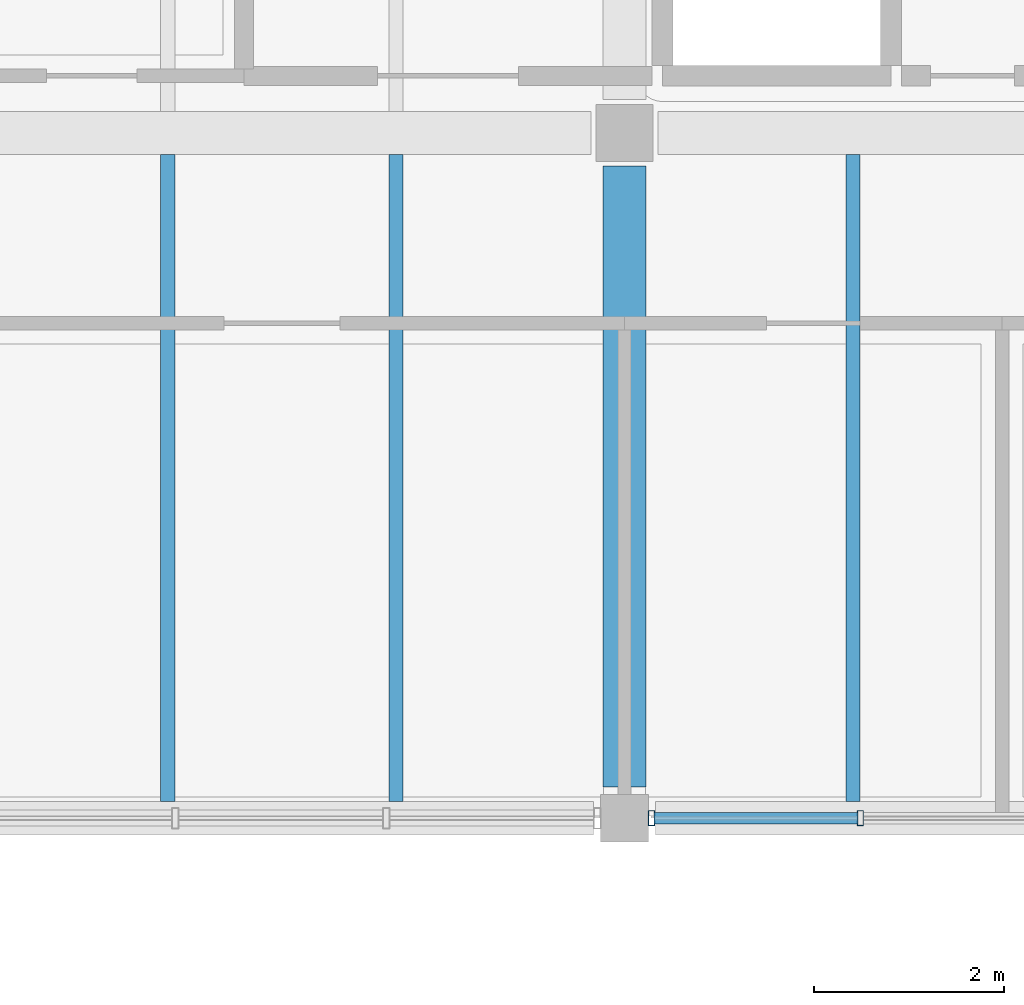
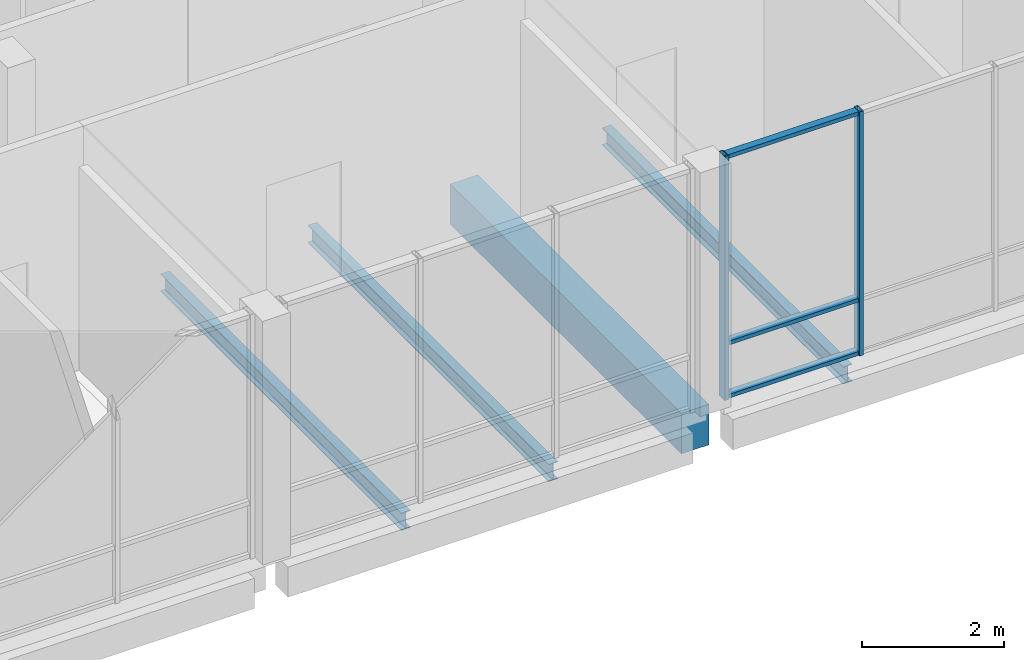
# One storey, part 37 of 104: 5 members, 4 beams, 1 element without a shape of its own.
"""IFC4 building model written with IfcOpenShell, lengths in metres."""

from ifc_helpers import new_model, si_unit, direction, frame, origin, origin_2d, place, context, subcontext, project, spatial, rectangle, hollow_rectangle, i_section, extrude, material, material_profile, profile_set, type_object, element, aggregate, save


model = new_model("IFC4")

# Units and contexts
model_context = context("Model", 3, precision=1e-05, world=origin(), true_north=direction((0.0, 1.0)))
body_context = subcontext(model_context, "Body", "Model", "MODEL_VIEW")
ifc_project = project(units=[si_unit("LENGTHUNIT", "METRE"), si_unit("AREAUNIT", "SQUARE_METRE"), si_unit("VOLUMEUNIT", "CUBIC_METRE"), si_unit("PLANEANGLEUNIT", "RADIAN"), si_unit("MASSUNIT", "GRAM", prefix="KILO")], contexts=[model_context])

# Site, building, storey
site_placement = place(None, origin())
site = spatial("IfcSite", under=ifc_project, at=site_placement, CompositionType="ELEMENT")
building_placement = place(site_placement, origin())
building = spatial("IfcBuilding", under=site, at=building_placement, Name="Hawrajan Terrace Health Centre", CompositionType="ELEMENT")
storey_placement = place(building_placement, origin())
storey = spatial("IfcBuildingStorey", under=building, at=storey_placement, Name="L00", CompositionType="ELEMENT", Elevation=0.0)

# Curtain wall, members
ifc_material_1 = material(Name="Anodized bronze aluminium and low-E solar glazing", Category="aluminium")
curtain_wall_type = type_object("IfcCurtainWallType", Name="CW_Diagnostic_SeriesM2", PredefinedType="USERDEFINED", material=ifc_material_1)
curtain_wall_placement = place(storey_placement, origin())
curtain_wall = element("IfcCurtainWall", 1, at=curtain_wall_placement, inside=storey, type_object=curtain_wall_type, Name="Curtain wall CW-L00-024", ObjectType="UNITISED CURTAIN WALL", PredefinedType="USERDEFINED")
ifc_material_2 = material(Name="Anodized bronze aluminium 6063-T6", Category="aluminium")
ifc_material_profile_1 = material_profile(ifc_material_2, hollow_rectangle(XDim=0.06494140625, YDim=0.159912109375, WallThickness=0.00390625, at=origin_2d()), Name="CW MUL 65x160")
ifc_profile_set_1 = profile_set([ifc_material_profile_1], Name="Anodized bronze aluminium 6063-T6")
member_type_1 = type_object("IfcMemberType", Name="CWMullion_65x160", PredefinedType="MULLION", material=ifc_profile_set_1)
member_1_placement = place(storey_placement, frame((48.08251953125, 45.39990234375, -0.0048828125), z_axis=(0.0, 0.0, 1.0), x_axis=(1.0, 0.0, 0.0)))
member_1 = element("IfcMember", 2, at=member_1_placement, type_object=member_type_1, Name="Mullion CW-L00-024-M1", PredefinedType="MULLION", context=body_context, shape_type="SweptSolid", body=[
    extrude(hollow_rectangle(XDim=0.06494140625, YDim=0.159912109375, WallThickness=0.00390625, at=origin_2d()), origin(), (0.0, 0.0, 1.0), 4.2099609375),
])
member_2_placement = place(storey_placement, frame((50.277587890625, 45.39990234375, -0.0048828125), z_axis=(0.0, 0.0, 1.0), x_axis=(1.0, 0.0, 0.0)))
member_2 = element("IfcMember", 3, at=member_2_placement, type_object=member_type_1, Name="Mullion CW-L00-024-M2", PredefinedType="MULLION", context=body_context, shape_type="SweptSolid", body=[
    extrude(hollow_rectangle(XDim=0.06494140625, YDim=0.159912109375, WallThickness=0.00390625, at=origin_2d()), origin(), (0.0, 0.0, 1.0), 4.2099609375),
])
ifc_material_profile_2 = material_profile(ifc_material_2, hollow_rectangle(XDim=0.06494140625, YDim=0.1201171875, WallThickness=0.00341796875, at=origin_2d()), Name="CW TRN 65x120")
ifc_profile_set_2 = profile_set([ifc_material_profile_2], Name="Anodized bronze aluminium 6063-T6")
member_type_2 = type_object("IfcMemberType", Name="CWTransom_65x120", PredefinedType="USERDEFINED", material=ifc_profile_set_2)
member_3_placement = place(storey_placement, frame((48.10888671875, 45.39990234375, 0.032470703125), z_axis=(1.0, 0.0, 0.0), x_axis=(0.0, 0.0, 1.0)))
member_3 = element("IfcMember", 4, at=member_3_placement, type_object=member_type_2, Name="Transom CW-L00-024-T1-1", ObjectType="TRANSOM", PredefinedType="USERDEFINED", context=body_context, shape_type="SweptSolid", body=[
    extrude(hollow_rectangle(XDim=0.06494140625, YDim=0.1201171875, WallThickness=0.00341796875, at=origin_2d()), origin(), (0.0, 0.0, 1.0), 2.14208984375),
])
member_4_placement = place(storey_placement, frame((48.10888671875, 45.39990234375, 0.949951171875), z_axis=(1.0, 0.0, 0.0), x_axis=(0.0, 0.0, 1.0)))
member_4 = element("IfcMember", 5, at=member_4_placement, type_object=member_type_2, Name="Transom CW-L00-024-T1-2", ObjectType="TRANSOM", PredefinedType="USERDEFINED", context=body_context, shape_type="SweptSolid", body=[
    extrude(hollow_rectangle(XDim=0.06494140625, YDim=0.1201171875, WallThickness=0.00341796875, at=origin_2d()), origin(), (0.0, 0.0, 1.0), 2.14208984375),
])
member_5_placement = place(storey_placement, frame((48.10888671875, 45.39990234375, 4.16748046875), z_axis=(1.0, 0.0, 0.0), x_axis=(0.0, 0.0, 1.0)))
member_5 = element("IfcMember", 6, at=member_5_placement, type_object=member_type_2, Name="Transom CW-L00-024-T1-3", ObjectType="TRANSOM", PredefinedType="USERDEFINED", context=body_context, shape_type="SweptSolid", body=[
    extrude(hollow_rectangle(XDim=0.06494140625, YDim=0.1201171875, WallThickness=0.00341796875, at=origin_2d()), origin(), (0.0, 0.0, 1.0), 2.14208984375),
])
aggregate(curtain_wall, [member_1, member_2, member_3, member_4, member_5])

# Beams
ifc_material_3 = material(Name="Concrete C40/50", Category="concrete")
ifc_material_profile_3 = material_profile(ifc_material_3, rectangle(XDim=0.449951171875, YDim=0.699951171875, at=origin_2d()), Name="RC BM 450x700")
ifc_profile_set_3 = profile_set([ifc_material_profile_3], Name="Concrete C40/50")
beam_type_1 = type_object("IfcBeamType", Name="RCGirder_450x700", PredefinedType="BEAM", material=ifc_profile_set_3)
beam_placement = place(storey_placement, frame((47.800048828125, 45.72509765625, -0.64990234375), z_axis=(0.0, 1.0, 0.0), x_axis=(-1.0, 0.0, 0.0)))
element("IfcBeam", 7, at=beam_placement, inside=storey, type_object=beam_type_1, Name="Beam BM-Y-L00-W-X07-6", PredefinedType="BEAM", context=body_context, shape_type="SweptSolid", body=[
    extrude(rectangle(XDim=0.449951171875, YDim=0.699951171875, at=origin_2d()), origin(), (0.0, 0.0, 1.0), 6.52490234375),
])
ifc_material_4 = material(Name="Steel S355", Category="steel")
ifc_material_profile_4 = material_profile(ifc_material_4, i_section(OverallWidth=0.14990234375, OverallDepth=0.300048828125, WebThickness=0.007080078125, FlangeThickness=0.0107421875, FilletRadius=0.014892578125, at=origin_2d()), Name="IPE 300")
ifc_profile_set_4 = profile_set([ifc_material_profile_4], Name="Steel S355")
beam_type_2 = type_object("IfcBeamType", Name="SteelBeam_IPE300", PredefinedType="JOIST", material=ifc_profile_set_4)
for number, where, z_axis, x_axis, name in (
    (8, (43.0, 45.574951171875, -0.449951171875), (0.0, 1.0, 0.0), (-1.0, 0.0, 0.0), "Secondary joist JST-L00-W-06-6-1"),
    (9, (45.39990234375, 45.574951171875, -0.449951171875), (0.0, 1.0, 0.0), (-1.0, 0.0, 0.0), "Secondary joist JST-L00-W-06-6-2"),
    (10, (50.199951171875, 45.574951171875, -0.449951171875), (0.0, 1.0, 0.0), (-1.0, 0.0, 0.0), "Secondary joist JST-L00-W-07-6-1"),
):
    element("IfcBeam", number, at=place(storey_placement, frame(where, z_axis=z_axis, x_axis=x_axis)), inside=storey, type_object=beam_type_2, Name=name, PredefinedType="JOIST", context=body_context, shape_type="SweptSolid", body=[
        extrude(i_section(OverallWidth=0.14990234375, OverallDepth=0.300048828125, WebThickness=0.007080078125, FlangeThickness=0.0107421875, FilletRadius=0.014892578125, at=origin_2d()), origin(), (0.0, 0.0, 1.0), 6.800048828125),
    ])

save(model, "model.ifc")
